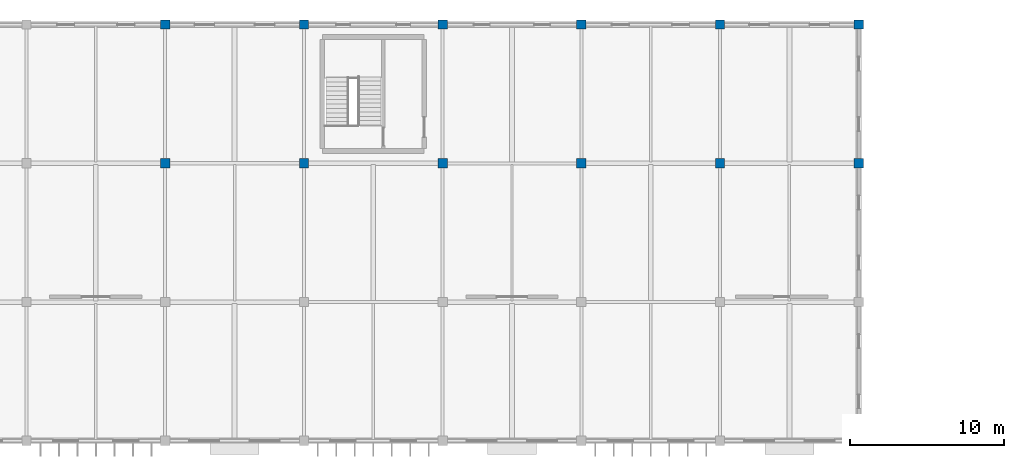
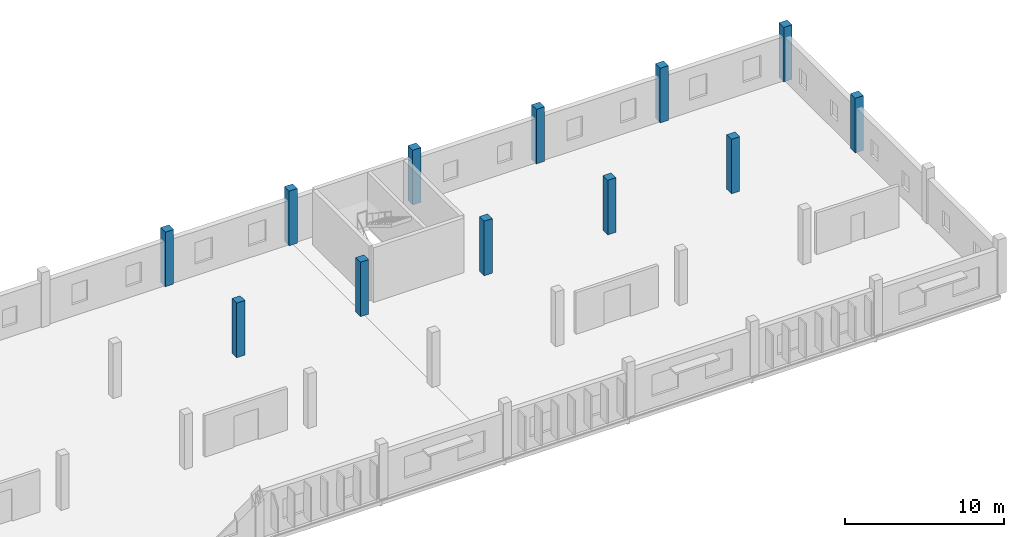
# One storey, part 34 of 161: 12 columns.
"""IFC4 building model written with IfcOpenShell, lengths in metres."""

from ifc_helpers import new_model, si_unit, direction, frame, origin, origin_2d, place, context, subcontext, project, spatial, rectangle, extrude, material, material_profile, profile_set, type_object, element, save


model = new_model("IFC4")

# Units and contexts
model_context = context("Model", 3, precision=1e-05, world=origin(), true_north=direction((0.0, 1.0)))
body_context = subcontext(model_context, "Body", "Model", "MODEL_VIEW")
ifc_project = project(units=[si_unit("LENGTHUNIT", "METRE"), si_unit("AREAUNIT", "SQUARE_METRE"), si_unit("VOLUMEUNIT", "CUBIC_METRE"), si_unit("PLANEANGLEUNIT", "RADIAN"), si_unit("MASSUNIT", "GRAM", prefix="KILO")], contexts=[model_context])

# Site, building, storey
site_placement = place(None, origin())
site = spatial("IfcSite", under=ifc_project, at=site_placement, CompositionType="ELEMENT")
building_placement = place(site_placement, origin())
building = spatial("IfcBuilding", under=site, at=building_placement, Name="Kildeholm Park Wholesale Market", CompositionType="ELEMENT")
storey_placement = place(building_placement, frame((0.0, 0.0, 5.39990234375)))
storey = spatial("IfcBuildingStorey", under=building, at=storey_placement, Name="L01", CompositionType="ELEMENT", Elevation=5.39990234375)

# Columns
ifc_material = material(Name="Concrete C40/50", Category="concrete")
ifc_material_profile = material_profile(ifc_material, rectangle(XDim=0.60009765625, YDim=0.60009765625, at=origin_2d()), Name="RC 600x600")
ifc_profile_set = profile_set([ifc_material_profile], Name="Concrete C40/50")
column_type = type_object("IfcColumnType", Name="Column C-R02 RC 600x600", PredefinedType="COLUMN", material=ifc_profile_set)
for number, where, z_axis, x_axis, name in (
    (1, (135.0, 162.0, 0.0), (0.0, 0.0, 1.0), (1.0, 0.0, 0.0), "Column V4-135-162 L01 COL-0580"),
    (2, (135.0, 171.0, 0.0), (0.0, 0.0, 1.0), (1.0, 0.0, 0.0), "Column V4-135-171 L01 COL-0583"),
    (3, (144.0, 162.0, 0.0), (0.0, 0.0, 1.0), (1.0, 0.0, 0.0), "Column V4-144-162 L01 COL-0591"),
    (4, (144.0, 171.0, 0.0), (0.0, 0.0, 1.0), (1.0, 0.0, 0.0), "Column V4-144-171 L01 COL-0594"),
    (5, (153.0, 162.0, 0.0), (0.0, 0.0, 1.0), (1.0, 0.0, 0.0), "Column V4-153-162 L01 COL-0602"),
    (6, (153.0, 171.0, 0.0), (0.0, 0.0, 1.0), (1.0, 0.0, 0.0), "Column V4-153-171 L01 COL-0605"),
    (7, (162.0, 162.0, 0.0), (0.0, 0.0, 1.0), (1.0, 0.0, 0.0), "Column V4-162-162 L01 COL-0613"),
    (8, (162.0, 171.0, 0.0), (0.0, 0.0, 1.0), (1.0, 0.0, 0.0), "Column V4-162-171 L01 COL-0616"),
    (9, (171.0, 162.0, 0.0), (0.0, 0.0, 1.0), (1.0, 0.0, 0.0), "Column V4-171-162 L01 COL-0624"),
    (10, (171.0, 171.0, 0.0), (0.0, 0.0, 1.0), (1.0, 0.0, 0.0), "Column V4-171-171 L01 COL-0627"),
    (11, (180.0, 162.0, 0.0), (0.0, 0.0, 1.0), (1.0, 0.0, 0.0), "Column V4-180-162 L01 COL-0635"),
    (12, (180.0, 171.0, 0.0), (0.0, 0.0, 1.0), (1.0, 0.0, 0.0), "Column V4-180-171 L01 COL-0638"),
):
    element("IfcColumn", number, at=place(storey_placement, frame(where, z_axis=z_axis, x_axis=x_axis)), inside=storey, type_object=column_type, Name=name, PredefinedType="COLUMN", context=body_context, shape_type="SweptSolid", body=[
        extrude(rectangle(XDim=0.60009765625, YDim=0.60009765625, at=origin_2d()), origin(), (0.0, 0.0, 1.0), 4.2001953125),
    ])

save(model, "model.ifc")
